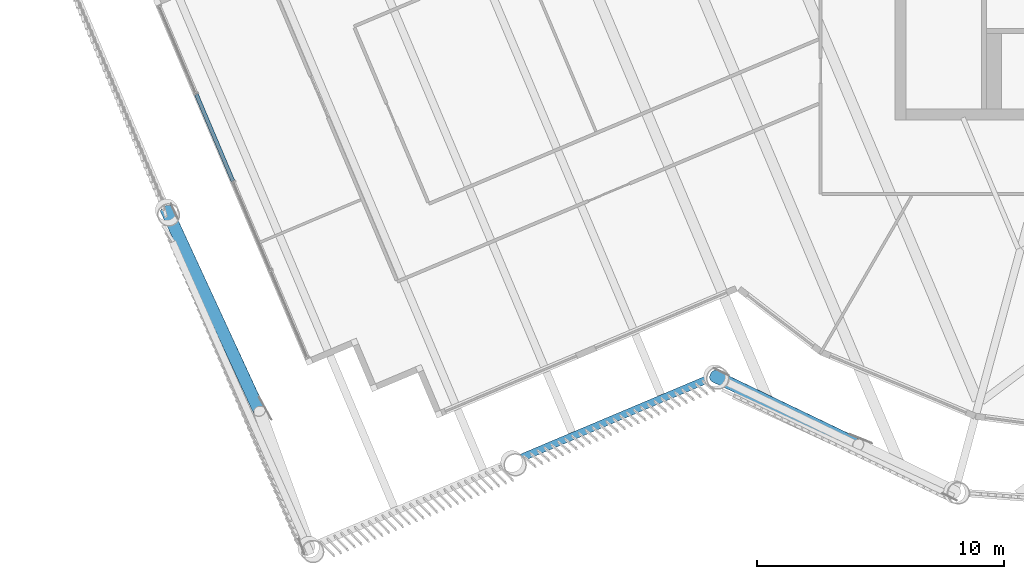
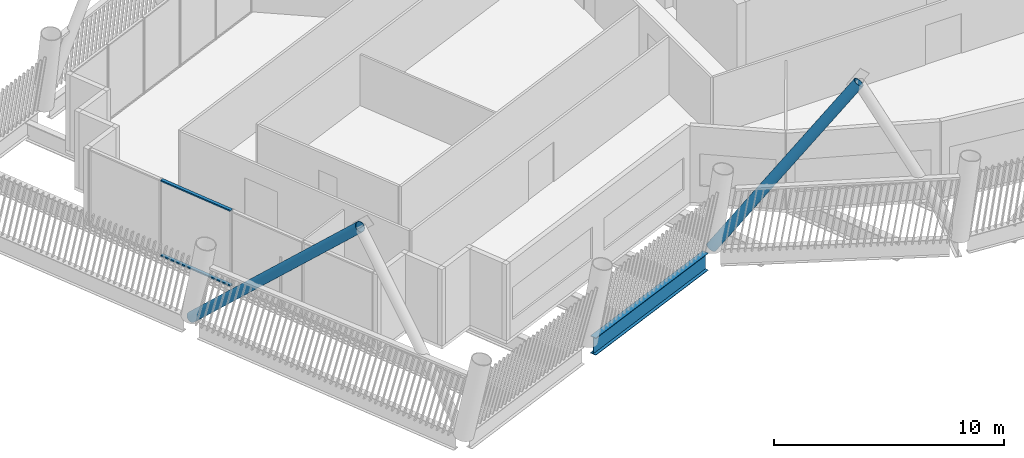
# One storey, part 3 of 35: 4 members, 1 beam, 1 element without a shape of its own.
"""IFC4 building model written with IfcOpenShell, lengths in metres."""

from ifc_helpers import new_model, si_unit, direction, frame, origin, origin_2d, place, context, subcontext, project, spatial, hollow_rectangle, hollow_circle, i_section, extrude, material, layer, layer_set, material_profile, profile_set, type_object, element, aggregate, save


model = new_model("IFC4")

# Units and contexts
model_context = context("Model", 3, precision=1e-05, world=origin(), true_north=direction((0.0, 1.0)))
body_context = subcontext(model_context, "Body", "Model", "MODEL_VIEW")
ifc_project = project(units=[si_unit("LENGTHUNIT", "METRE"), si_unit("AREAUNIT", "SQUARE_METRE"), si_unit("VOLUMEUNIT", "CUBIC_METRE"), si_unit("PLANEANGLEUNIT", "RADIAN"), si_unit("MASSUNIT", "GRAM", prefix="KILO")], contexts=[model_context])

# Site, building, storey
site_placement = place(None, origin())
site = spatial("IfcSite", under=ifc_project, at=site_placement, CompositionType="ELEMENT")
building_placement = place(site_placement, origin())
building = spatial("IfcBuilding", under=site, at=building_placement, Name="Tarsis Ring Headquarters", CompositionType="ELEMENT")
storey_placement = place(building_placement, frame((0.0, 0.0, 377.60009765625)))
storey = spatial("IfcBuildingStorey", under=building, at=storey_placement, Name="L89", CompositionType="ELEMENT", Elevation=377.60009765625)

# Curtain wall, members
ifc_material_1 = material(Name="Aluminium curtain wall", Category="aluminium")
ifc_layer = layer(ifc_material_1, 0.199951171875)
ifc_layer_set = layer_set([ifc_layer], Name="Curtain wall executive tip")
curtain_wall_type = type_object("IfcCurtainWallType", Name="Curtain wall executive tip", PredefinedType="NOTDEFINED", material=ifc_layer_set)
curtain_wall_placement = place(storey_placement, origin())
curtain_wall = element("IfcCurtainWall", 1, at=curtain_wall_placement, inside=storey, type_object=curtain_wall_type, Name="Curtain wall L89-36", PredefinedType="NOTDEFINED")
ifc_material_2 = material(Name="Aluminium transom", Category="aluminium")
ifc_material_profile_1 = material_profile(ifc_material_2, hollow_rectangle(XDim=0.159912109375, YDim=0.070068359375, WallThickness=0.0048828125, at=origin_2d()), Name="RHS 160x70x5")
ifc_profile_set_1 = profile_set([ifc_material_profile_1], Name="Aluminium transom")
member_type_1 = type_object("IfcMemberType", Name="Curtain wall transom executive tip RHS 160x70x5", PredefinedType="USERDEFINED", material=ifc_profile_set_1)
member_1_placement = place(storey_placement, frame((-38.230712890625, -11.965576171875, 0.034912109375), z_axis=(0.388825608999, -0.921311372874, 0.0), x_axis=(0.921311372874, 0.388825608999, 0.0)))
member_1 = element("IfcMember", 2, at=member_1_placement, type_object=member_type_1, Name="CW-E transom 2.1", ObjectType="TRANSOM", PredefinedType="USERDEFINED", context=body_context, shape_type="SweptSolid", body=[
    extrude(hollow_rectangle(XDim=0.159912109375, YDim=0.070068359375, WallThickness=0.0048828125, at=origin_2d()), origin(), (0.0, 0.0, 1.0), 3.804931640625),
])
member_2_placement = place(storey_placement, frame((-38.230712890625, -11.965576171875, 4.0048828125), z_axis=(0.388825608999, -0.921311372874, 0.0), x_axis=(0.921311372874, 0.388825608999, 0.0)))
member_2 = element("IfcMember", 3, at=member_2_placement, type_object=member_type_1, Name="CW-E transom 2.2", ObjectType="TRANSOM", PredefinedType="USERDEFINED", context=body_context, shape_type="SweptSolid", body=[
    extrude(hollow_rectangle(XDim=0.159912109375, YDim=0.070068359375, WallThickness=0.0048828125, at=origin_2d()), origin(), (0.0, 0.0, 1.0), 3.804931640625),
])
aggregate(curtain_wall, [member_1, member_2])

# Members
ifc_material_3 = material(Name="Structural steel S355", Category="steel")
ifc_material_profile_2 = material_profile(ifc_material_3, hollow_circle(Radius=0.25390625, WallThickness=0.02001953125, at=origin_2d()), Name="CHS 508x20")
ifc_profile_set_2 = profile_set([ifc_material_profile_2], Name="Structural steel S355")
member_type_2 = type_object("IfcMemberType", Name="XD X brace CHS 508x20", PredefinedType="BRACE", material=ifc_profile_set_2)
member_3_placement = place(storey_placement, frame((-39.4326171875, -16.640625, 0.0), z_axis=(0.305668603772, -0.662146086774, 0.684199725547), x_axis=(0.907926660707, 0.41912907174, 0.0)))
element("IfcMember", 4, at=member_3_placement, inside=storey, type_object=member_type_2, Name="X brace XD2", PredefinedType="BRACE", context=body_context, shape_type="SweptSolid", body=[
    extrude(hollow_circle(Radius=0.25390625, WallThickness=0.02001953125, at=origin_2d()), origin(), (0.0, 0.0, 1.0), 12.27685546875),
])
member_4_placement = place(storey_placement, frame((-17.274658203125, -23.353759765625, 0.0), z_axis=(0.547568760471, -0.262805297562, 0.794419176587), x_axis=(0.432693990849, 0.901540853363, 0.0)))
element("IfcMember", 5, at=member_4_placement, inside=storey, type_object=member_type_2, Name="X brace XD2", PredefinedType="BRACE", context=body_context, shape_type="SweptSolid", body=[
    extrude(hollow_circle(Radius=0.25390625, WallThickness=0.02001953125, at=origin_2d()), origin(), (0.0, 0.0, 1.0), 10.57373046875),
])

# Beam
ifc_material_profile_3 = material_profile(ifc_material_3, i_section(OverallWidth=0.3046875, OverallDepth=0.91943359375, WebThickness=0.017333984375, FlangeThickness=0.02783203125, at=origin_2d()), Name="W36x170")
ifc_profile_set_3 = profile_set([ifc_material_profile_3], Name="Structural steel S355")
beam_type = type_object("IfcBeamType", Name="XG Ring girder W36x170", PredefinedType="BEAM", material=ifc_profile_set_3)
beam_placement = place(storey_placement, frame((-25.097412109375, -26.655029296875, -0.4599609375), z_axis=(0.921326786172, 0.388789085601, 0.0), x_axis=(-0.388789085601, 0.921326786172, 0.0)))
element("IfcBeam", 6, at=beam_placement, inside=storey, type_object=beam_type, Name="Ring girder XG4", PredefinedType="BEAM", context=body_context, shape_type="SweptSolid", body=[
    extrude(i_section(OverallWidth=0.3046875, OverallDepth=0.91943359375, WebThickness=0.017333984375, FlangeThickness=0.02783203125, at=origin_2d()), origin(), (0.0, 0.0, 1.0), 8.0791015625),
])

save(model, "model.ifc")
